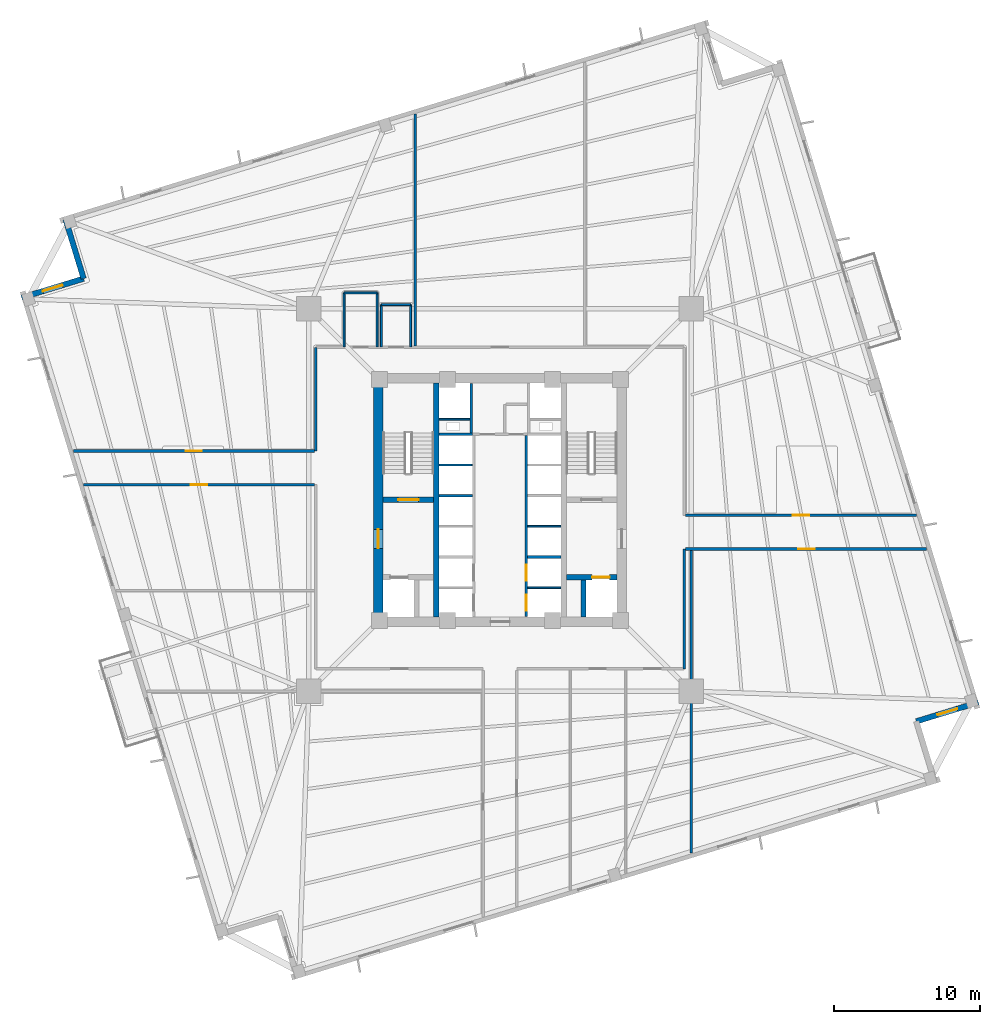
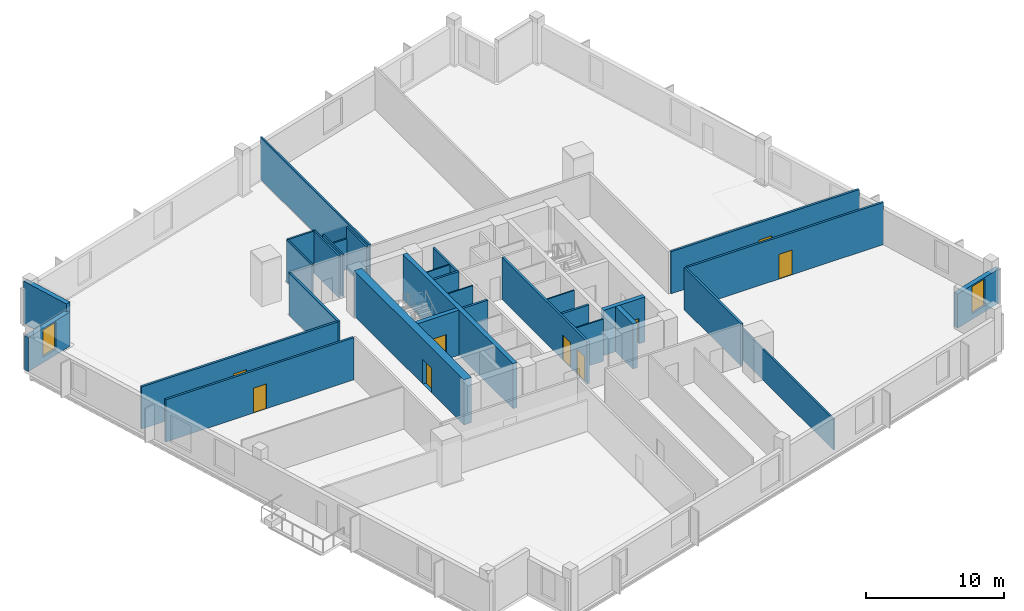
# One storey, part 4 of 9: 31 walls, 9 doors, 2 windows, 11 openings.
"""IFC4 building model written with IfcOpenShell, lengths in metres."""

from ifc_helpers import new_model, si_unit, direction, frame, frame_2d, origin, place, context, subcontext, project, spatial, rectangle, extrude, source, transform, mapped, material, layer, layer_set, type_object, element, fill, save


model = new_model("IFC4")

# Units and contexts
model_context = context("Model", 3, precision=1e-05, world=origin(), true_north=direction((0.0, 1.0)))
body_context = subcontext(model_context, "Body", "Model", "MODEL_VIEW")
ifc_project = project(units=[si_unit("LENGTHUNIT", "METRE"), si_unit("AREAUNIT", "SQUARE_METRE"), si_unit("VOLUMEUNIT", "CUBIC_METRE"), si_unit("PLANEANGLEUNIT", "RADIAN"), si_unit("MASSUNIT", "GRAM", prefix="KILO"), si_unit("THERMODYNAMICTEMPERATUREUNIT", "KELVIN")], contexts=[model_context])

# Site, building, storey
site_placement = place(None, origin())
site = spatial("IfcSite", under=ifc_project, at=site_placement, CompositionType="ELEMENT")
building_placement = place(site_placement, origin())
building = spatial("IfcBuilding", under=site, at=building_placement, Name="Kosmvard Interchange Tower", CompositionType="ELEMENT")
storey_placement = place(building_placement, frame((0.0, 0.0, 107.199951171875)))
storey = spatial("IfcBuildingStorey", under=building, at=storey_placement, Name="L25", CompositionType="ELEMENT", Elevation=107.199951171875)

# Walls
ifc_material_1 = material(Name="Acoustic gypsum partition system")
ifc_layer_1 = layer(ifc_material_1, 0.14990234375, Name="Acoustic gypsum partition system")
ifc_layer_set_1 = layer_set([ifc_layer_1], Name="Acoustic gypsum partition system")
wall_type_1 = type_object("IfcWallType", Name="Acoustic Suite & Meeting Partition 150", PredefinedType="PARTITIONING", material=ifc_layer_set_1)
wall_1_placement = place(storey_placement, frame((-5.800048828125, 10.544921875, 0.0), z_axis=(0.0, 0.0, 1.0), x_axis=(0.0, 1.0, 0.0)))
element("IfcWall", 1, at=wall_1_placement, inside=storey, type_object=wall_type_1, Name="L25 Room Partition 01.1", PredefinedType="PARTITIONING", context=body_context, shape_type="SweptSolid", body=[
    extrude(rectangle(XDim=15.84765625, YDim=0.14990234375, at=frame_2d((7.923828125, 0.0))), origin(), (0.0, 0.0, 1.0), 3.739990234375),
])
wall_2_placement = place(storey_placement, frame((13.0810546875, -24.16650390625, 0.0), z_axis=(0.0, 0.0, 1.0), x_axis=(0.0, 1.0, 0.0)))
element("IfcWall", 2, at=wall_2_placement, inside=storey, type_object=wall_type_1, Name="L25 Room Partition 05.1", PredefinedType="PARTITIONING", context=body_context, shape_type="SweptSolid", body=[
    extrude(rectangle(XDim=20.721435546875, YDim=0.14990234375, at=frame_2d((10.36083984375, 0.0))), origin(), (0.0, 0.0, 1.0), 2.73193359375),
])
ifc_material_2 = material(Name="Fire-rated gypsum partition system")
ifc_layer_2 = layer(ifc_material_2, 0.159912109375, Name="Fire-rated gypsum partition system")
ifc_layer_set_2 = layer_set([ifc_layer_2], Name="Fire-rated gypsum partition system")
wall_type_2 = type_object("IfcWallType", Name="Core Compartment & Shuttle Lobby Partition 160", PredefinedType="PARTITIONING", material=ifc_layer_set_2)
wall_3_placement = place(storey_placement, frame((-1.9599609375, 4.580078125, 0.0), z_axis=(0.0, 0.0, 1.0), x_axis=(0.0, 1.0, 0.0)))
element("IfcWall", 3, at=wall_3_placement, inside=storey, type_object=wall_type_2, Name="L25 North Core West Wall", PredefinedType="PARTITIONING", context=body_context, shape_type="SweptSolid", body=[
    extrude(rectangle(XDim=3.39990234375, YDim=0.159912109375, at=frame_2d((1.699951171875, 0.0))), origin(), (0.0, 0.0, 1.0), 3.739990234375),
])

# Wall, openings, doors
ifc_layer_3 = layer(ifc_material_2, 0.179931640625, Name="Fire-rated gypsum partition system")
ifc_layer_set_3 = layer_set([ifc_layer_3], Name="Fire-rated gypsum partition system")
wall_type_3 = type_object("IfcWallType", Name="Corridor & Hotel Compartment Partition 180", PredefinedType="PARTITIONING", material=ifc_layer_set_3)
wall_4_placement = place(storey_placement, frame((1.7900390625, -7.97998046875, 0.0), z_axis=(0.0, 0.0, 1.0), x_axis=(0.0, 1.0, 0.0)))
wall_4 = element("IfcWall", 4, at=wall_4_placement, inside=storey, type_object=wall_type_3, Name="L25 East Lift Bank Front Wall", PredefinedType="PARTITIONING", context=body_context, shape_type="SweptSolid", body=[
    extrude(rectangle(XDim=12.3798828125, YDim=0.179931640625, at=frame_2d((6.18994140625, 0.0))), origin(), (0.0, 0.0, 1.0), 3.739990234375),
])
opening_1_placement = place(wall_4_placement, frame((0.39990234375, 0.0, 0.0)))
opening_1 = element("IfcOpeningElement", 5, at=opening_1_placement, cuts=wall_4, Name="Opening LD-PL-L3-L25", PredefinedType="OPENING", context=body_context, shape_type="SweptSolid", body=[
    extrude(rectangle(XDim=1.10009765625, YDim=2.199951171875, at=frame_2d((0.550048828125, 1.10009765625))), frame((0.0, 0.10009765625, 0.0), z_axis=(0.0, -1.0, 0.0), x_axis=(1.0, 0.0, 0.0)), (0.0, 0.0, 1.0), 0.199951171875),
])
opening_2_placement = place(wall_4_placement, frame((2.4599609375, 0.0, 0.0)))
opening_2 = element("IfcOpeningElement", 6, at=opening_2_placement, cuts=wall_4, Name="Opening LD-PL-L4-L25", PredefinedType="OPENING", context=body_context, shape_type="SweptSolid", body=[
    extrude(rectangle(XDim=1.10009765625, YDim=2.199951171875, at=frame_2d((0.550048828125, 1.10009765625))), frame((0.0, 0.10009765625, 0.0), z_axis=(0.0, -1.0, 0.0), x_axis=(1.0, 0.0, 0.0)), (0.0, 0.0, 1.0), 0.199951171875),
])
ifc_material_3 = material(Name="Brushed stainless steel sliding leaf", Category="steel")
door_type_1 = type_object("IfcDoorType", Name="Passenger Lift Sliding Landing Door 1100x2200 EI60", OperationType="DOUBLE_DOOR_SLIDING", PredefinedType="DOOR", material=ifc_material_3)
shared_shape_1 = source(origin(), body_context, "Body", "SweptSolid", [
    extrude(rectangle(XDim=1.10009765625, YDim=2.199951171875, at=frame_2d((0.550048828125, 1.10009765625))), frame((0.0, 0.02490234375, 0.0), z_axis=(0.0, -1.0, 0.0), x_axis=(1.0, 0.0, 0.0)), (0.0, 0.0, 1.0), 0.050048828125),
])
door_1_placement = place(opening_1_placement, origin())
door_1 = element("IfcDoor", 7, at=door_1_placement, inside=storey, type_object=door_type_1, Name="Lift PL-L3 Landing Door L25", OperationType="DOUBLE_DOOR_SLIDING", OverallHeight=2.199951171875, OverallWidth=1.10009765625, PredefinedType="DOOR", context=body_context, shape_type="MappedRepresentation", body=[
    mapped(shared_shape_1, transform((0.0, 0.0, 0.0), scale=1.0)),
])
fill(opening_1, door_1)
door_2_placement = place(opening_2_placement, origin())
door_2 = element("IfcDoor", 8, at=door_2_placement, inside=storey, type_object=door_type_1, Name="Lift PL-L4 Landing Door L25", OperationType="DOUBLE_DOOR_SLIDING", OverallHeight=2.199951171875, OverallWidth=1.10009765625, PredefinedType="DOOR", context=body_context, shape_type="MappedRepresentation", body=[
    mapped(shared_shape_1, transform((0.0, 0.0, 0.0), scale=1.0)),
])
fill(opening_2, door_2)

# Walls
wall_5_placement = place(storey_placement, frame((-12.60009765625, 3.35009765625, 0.0), z_axis=(0.0, 0.0, 1.0), x_axis=(0.0, 1.0, 0.0)))
element("IfcWall", 9, at=wall_5_placement, inside=storey, type_object=wall_type_3, Name="L25 Corridor Wall CWN", PredefinedType="PARTITIONING", context=body_context, shape_type="SweptSolid", body=[
    extrude(rectangle(XDim=7.099853515625, YDim=0.179931640625, at=frame_2d((3.5498046875, 0.0))), origin(), (0.0, 0.0, 1.0), 3.739990234375),
])
wall_6_placement = place(storey_placement, frame((12.60009765625, -11.550048828125, 0.0), z_axis=(0.0, 0.0, 1.0), x_axis=(0.0, 1.0, 0.0)))
element("IfcWall", 10, at=wall_6_placement, inside=storey, type_object=wall_type_3, Name="L25 Corridor Wall CES", PredefinedType="PARTITIONING", context=body_context, shape_type="SweptSolid", body=[
    extrude(rectangle(XDim=8.199951171875, YDim=0.179931640625, at=frame_2d((4.10009765625, 0.0))), origin(), (0.0, 0.0, 1.0), 3.739990234375),
])

# Wall, opening, door
wall_7_placement = place(storey_placement, frame((-28.48681640625, 1.050048828125, 0.0), z_axis=(0.0, 0.0, 1.0), x_axis=(1.0, 0.0, 0.0)))
wall_7 = element("IfcWall", 11, at=wall_7_placement, inside=storey, type_object=wall_type_3, Name="L25 Corridor Wall SWS", PredefinedType="PARTITIONING", context=body_context, shape_type="SweptSolid", body=[
    extrude(rectangle(XDim=15.786865234375, YDim=0.179931640625, at=frame_2d((7.8935546875, 0.0))), origin(), (0.0, 0.0, 1.0), 3.739990234375),
])
opening_3_placement = place(wall_7_placement, frame((7.34326171875, 0.0, 0.0)))
opening_3 = element("IfcOpeningElement", 12, at=opening_3_placement, cuts=wall_7, Name="Opening L25-D10", PredefinedType="OPENING", context=body_context, shape_type="SweptSolid", body=[
    extrude(rectangle(XDim=1.10009765625, YDim=2.199951171875, at=frame_2d((0.550048828125, 1.10009765625))), frame((0.0, 0.10009765625, 0.0), z_axis=(0.0, -1.0, 0.0), x_axis=(1.0, 0.0, 0.0)), (0.0, 0.0, 1.0), 0.199951171875),
])
ifc_material_4 = material(Name="Engineered oak fire-rated timber", Category="wood")
door_type_2 = type_object("IfcDoorType", Name="Office Suite Entrance Door 1100x2200 FD30S", OperationType="NOTDEFINED", PredefinedType="DOOR", material=ifc_material_4)
door_3_placement = place(opening_3_placement, frame((1.10009765625, 0.0, 0.0), z_axis=(0.0, 0.0, 1.0), x_axis=(-1.0, 0.0, 0.0)))
door_3 = element("IfcDoor", 13, at=door_3_placement, inside=storey, type_object=door_type_2, Name="L25 Coffee Bar Pantry Door", OperationType="SINGLE_SWING_RIGHT", OverallHeight=2.199951171875, OverallWidth=1.10009765625, PredefinedType="DOOR", context=body_context, shape_type="MappedRepresentation", body=[
    mapped(shared_shape_1, transform((0.0, 0.0, 0.0), scale=1.0)),
])
fill(opening_3, door_3)

wall_8_placement = place(storey_placement, frame((-29.18994140625, 3.35009765625, 0.0), z_axis=(0.0, 0.0, 1.0), x_axis=(1.0, 0.0, 0.0)))
wall_8 = element("IfcWall", 14, at=wall_8_placement, inside=storey, type_object=wall_type_3, Name="L25 Corridor Wall SWN", PredefinedType="PARTITIONING", context=body_context, shape_type="SweptSolid", body=[
    extrude(rectangle(XDim=16.489990234375, YDim=0.179931640625, at=frame_2d((8.2451171875, 0.0))), origin(), (0.0, 0.0, 1.0), 3.739990234375),
])
opening_4_placement = place(wall_8_placement, frame((7.695068359375, 0.0, 0.0)))
opening_4 = element("IfcOpeningElement", 15, at=opening_4_placement, cuts=wall_8, Name="Opening L25-D03", PredefinedType="OPENING", context=body_context, shape_type="SweptSolid", body=[
    extrude(rectangle(XDim=1.10009765625, YDim=2.199951171875, at=frame_2d((0.550048828125, 1.10009765625))), frame((0.0, 0.10009765625, 0.0), z_axis=(0.0, -1.0, 0.0), x_axis=(1.0, 0.0, 0.0)), (0.0, 0.0, 1.0), 0.199951171875),
])
door_4_placement = place(opening_4_placement, origin())
door_4 = element("IfcDoor", 16, at=door_4_placement, inside=storey, type_object=door_type_2, Name="L25 North-West Executive Lounge Door", OperationType="SINGLE_SWING_LEFT", OverallHeight=2.199951171875, OverallWidth=1.10009765625, PredefinedType="DOOR", context=body_context, shape_type="MappedRepresentation", body=[
    mapped(shared_shape_1, transform((0.0, 0.0, 0.0), scale=1.0)),
])
fill(opening_4, door_4)

wall_9_placement = place(storey_placement, frame((12.699951171875, -3.35009765625, 0.0), z_axis=(0.0, 0.0, 1.0), x_axis=(1.0, 0.0, 0.0)))
wall_9 = element("IfcWall", 17, at=wall_9_placement, inside=storey, type_object=wall_type_3, Name="L25 Corridor Wall SES", PredefinedType="PARTITIONING", context=body_context, shape_type="SweptSolid", body=[
    extrude(rectangle(XDim=16.489990234375, YDim=0.179931640625, at=frame_2d((8.2451171875, 0.0))), origin(), (0.0, 0.0, 1.0), 3.739990234375),
])
opening_5_placement = place(wall_9_placement, frame((7.720947265625, 0.0, 0.0)))
opening_5 = element("IfcOpeningElement", 18, at=opening_5_placement, cuts=wall_9, Name="Opening L25-D09", PredefinedType="OPENING", context=body_context, shape_type="SweptSolid", body=[
    extrude(rectangle(XDim=1.10009765625, YDim=2.199951171875, at=frame_2d((0.550048828125, 1.10009765625))), frame((0.0, 0.10009765625, 0.0), z_axis=(0.0, -1.0, 0.0), x_axis=(1.0, 0.0, 0.0)), (0.0, 0.0, 1.0), 0.199951171875),
])
door_5_placement = place(opening_5_placement, frame((1.10009765625, 0.0, 0.0), z_axis=(0.0, 0.0, 1.0), x_axis=(-1.0, 0.0, 0.0)))
door_5 = element("IfcDoor", 19, at=door_5_placement, inside=storey, type_object=door_type_2, Name="L25 East Quiet Study Door", OperationType="SINGLE_SWING_LEFT", OverallHeight=2.199951171875, OverallWidth=1.10009765625, PredefinedType="DOOR", context=body_context, shape_type="MappedRepresentation", body=[
    mapped(shared_shape_1, transform((0.0, 0.0, 0.0), scale=1.0)),
])
fill(opening_5, door_5)

wall_10_placement = place(storey_placement, frame((12.699951171875, -1.050048828125, 0.0), z_axis=(0.0, 0.0, 1.0), x_axis=(1.0, 0.0, 0.0)))
wall_10 = element("IfcWall", 20, at=wall_10_placement, inside=storey, type_object=wall_type_3, Name="L25 Corridor Wall SEN", PredefinedType="PARTITIONING", context=body_context, shape_type="SweptSolid", body=[
    extrude(rectangle(XDim=15.786865234375, YDim=0.179931640625, at=frame_2d((7.8935546875, 0.0))), origin(), (0.0, 0.0, 1.0), 3.739990234375),
])
opening_6_placement = place(wall_10_placement, frame((7.34326171875, 0.0, 0.0)))
opening_6 = element("IfcOpeningElement", 21, at=opening_6_placement, cuts=wall_10, Name="Opening L25-D05", PredefinedType="OPENING", context=body_context, shape_type="SweptSolid", body=[
    extrude(rectangle(XDim=1.10009765625, YDim=2.199951171875, at=frame_2d((0.550048828125, 1.10009765625))), frame((0.0, 0.10009765625, 0.0), z_axis=(0.0, -1.0, 0.0), x_axis=(1.0, 0.0, 0.0)), (0.0, 0.0, 1.0), 0.199951171875),
])
door_6_placement = place(opening_6_placement, origin())
door_6 = element("IfcDoor", 22, at=door_6_placement, inside=storey, type_object=door_type_2, Name="L25 North-East Reading Study Door", OperationType="SINGLE_SWING_LEFT", OverallHeight=2.199951171875, OverallWidth=1.10009765625, PredefinedType="DOOR", context=body_context, shape_type="MappedRepresentation", body=[
    mapped(shared_shape_1, transform((0.0, 0.0, 0.0), scale=1.0)),
])
fill(opening_6, door_6)

# Wall, opening, window
ifc_material_5 = material(Name="Precast concrete C45/55", Category="concrete")
ifc_layer_4 = layer(ifc_material_5, 0.3798828125, Name="Precast concrete C45/55")
ifc_layer_set_4 = layer_set([ifc_layer_4], Name="Precast concrete C45/55")
wall_type_4 = type_object("IfcWallType", Name="Lower Tower Precast Pier Wall 380 C45/55", PredefinedType="STANDARD", material=ifc_layer_set_4)
wall_11_placement = place(storey_placement, frame((28.482421875, -15.144287109375, 0.0), z_axis=(0.0, 0.0, 1.0), x_axis=(0.956304176051, 0.292373601522, 0.0)))
wall_11 = element("IfcWall", 23, at=wall_11_placement, inside=storey, type_object=wall_type_4, Name="L25 Precast Facade Wall N-SE2", PredefinedType="STANDARD", context=body_context, shape_type="SweptSolid", body=[
    extrude(rectangle(XDim=4.43994140625, YDim=0.3798828125, at=frame_2d((2.219970703125, 0.0))), origin(), (0.0, 0.0, 1.0), 3.0400390625),
])
opening_7_placement = place(wall_11_placement, frame((1.52001953125, 0.0, 0.510009765625)))
opening_7 = element("IfcOpeningElement", 24, at=opening_7_placement, cuts=wall_11, Name="Opening L25-W20", PredefinedType="OPENING", context=body_context, shape_type="SweptSolid", body=[
    extrude(rectangle(XDim=1.39990234375, YDim=2.39990234375, at=frame_2d((0.699951171875, 1.199951171875))), frame((0.0, 0.199951171875, 0.0), z_axis=(0.0, -1.0, 0.0), x_axis=(1.0, 0.0, 0.0)), (0.0, 0.0, 1.0), 0.39990234375),
])
ifc_material_6 = material(Name="Low-E solar-control double glazing", Category="glass")
window_type = type_object("IfcWindowType", Name="Notched Corner Feature Window 1400x2400", PartitioningType="SINGLE_PANEL", PredefinedType="WINDOW", material=ifc_material_6)
shared_shape_2 = source(origin(), body_context, "Body", "SweptSolid", [
    extrude(rectangle(XDim=1.39990234375, YDim=2.39990234375, at=frame_2d((0.699951171875, 1.199951171875))), frame((0.0, 0.030029296875, 0.0), z_axis=(0.0, -1.0, 0.0), x_axis=(1.0, 0.0, 0.0)), (0.0, 0.0, 1.0), 0.06005859375),
])
window_1_placement = place(opening_7_placement, origin())
window_1 = element("IfcWindow", 25, at=window_1_placement, inside=storey, type_object=window_type, Name="L25 Corner Notch Window 20", OverallHeight=2.39990234375, OverallWidth=1.39990234375, PartitioningType="SINGLE_PANEL", PredefinedType="WINDOW", context=body_context, shape_type="MappedRepresentation", body=[
    mapped(shared_shape_2, transform((0.0, 0.0, 0.0), scale=1.0)),
])
fill(opening_7, window_1)

# Wall
wall_12_placement = place(storey_placement, frame((-29.724853515625, 19.20849609375, 0.0), z_axis=(0.0, 0.0, 1.0), x_axis=(0.292345507338, -0.956312764915, 0.0)))
element("IfcWall", 26, at=wall_12_placement, inside=storey, type_object=wall_type_4, Name="L25 Precast Facade Wall N-NW1", PredefinedType="STANDARD", context=body_context, shape_type="SweptSolid", body=[
    extrude(rectangle(XDim=4.249755859375, YDim=0.3798828125, at=frame_2d((2.125, 0.0))), origin(), (0.0, 0.0, 1.0), 3.739990234375),
])

# Wall, opening, window
wall_13_placement = place(storey_placement, frame((-28.482421875, 15.144287109375, 0.0), z_axis=(0.0, 0.0, 1.0), x_axis=(-0.956304176051, -0.292373601522, 0.0)))
wall_13 = element("IfcWall", 27, at=wall_13_placement, inside=storey, type_object=wall_type_4, Name="L25 Precast Facade Wall N-NW2", PredefinedType="STANDARD", context=body_context, shape_type="SweptSolid", body=[
    extrude(rectangle(XDim=4.43994140625, YDim=0.3798828125, at=frame_2d((2.219970703125, 0.0))), origin(), (0.0, 0.0, 1.0), 3.0400390625),
])
opening_8_placement = place(wall_13_placement, frame((1.52001953125, 0.0, 0.510009765625)))
opening_8 = element("IfcOpeningElement", 28, at=opening_8_placement, cuts=wall_13, Name="Opening L25-W22", PredefinedType="OPENING", context=body_context, shape_type="SweptSolid", body=[
    extrude(rectangle(XDim=1.39990234375, YDim=2.39990234375, at=frame_2d((0.699951171875, 1.199951171875))), frame((0.0, 0.199951171875, 0.0), z_axis=(0.0, -1.0, 0.0), x_axis=(1.0, 0.0, 0.0)), (0.0, 0.0, 1.0), 0.39990234375),
])
window_2_placement = place(opening_8_placement, origin())
window_2 = element("IfcWindow", 29, at=window_2_placement, inside=storey, type_object=window_type, Name="L25 Corner Notch Window 22", OverallHeight=2.39990234375, OverallWidth=1.39990234375, PartitioningType="SINGLE_PANEL", PredefinedType="WINDOW", context=body_context, shape_type="MappedRepresentation", body=[
    mapped(shared_shape_2, transform((0.0, 0.0, 0.0), scale=1.0)),
])
fill(opening_8, window_2)

# Wall, opening, door
ifc_material_7 = material(Name="Concrete C70/85", Category="concrete")
ifc_layer_5 = layer(ifc_material_7, 0.64990234375, Name="Concrete C70/85")
ifc_layer_set_5 = layer_set([ifc_layer_5], Name="Concrete C70/85")
wall_type_5 = type_object("IfcWallType", Name="Mid Core Shear Wall 650 C70/85", PredefinedType="SHEAR", material=ifc_layer_set_5)
wall_14_placement = place(storey_placement, frame((-8.324951171875, -8.0, 0.0), z_axis=(0.0, 0.0, 1.0), x_axis=(0.0, 1.0, 0.0)))
wall_14 = element("IfcWall", 30, at=wall_14_placement, inside=storey, type_object=wall_type_5, Name="L25 Core Shear Wall CW-W", PredefinedType="SHEAR", context=body_context, shape_type="SweptSolid", body=[
    extrude(rectangle(XDim=16.0, YDim=0.64990234375, at=frame_2d((8.0, 0.0))), origin(), (0.0, 0.0, 1.0), 4.0),
])
opening_9_placement = place(wall_14_placement, frame((4.68994140625, 0.0, 0.0)))
opening_9 = element("IfcOpeningElement", 31, at=opening_9_placement, cuts=wall_14, Name="Opening L25-FD1", PredefinedType="OPENING", context=body_context, shape_type="SweptSolid", body=[
    extrude(rectangle(XDim=1.300048828125, YDim=2.199951171875, at=frame_2d((0.64990234375, 1.10009765625))), frame((0.0, 0.3349609375, 0.0), z_axis=(0.0, -1.0, 0.0), x_axis=(1.0, 0.0, 0.0)), (0.0, 0.0, 1.0), 0.669921875),
])
ifc_material_8 = material(Name="Painted fire-rated steel leaf", Category="steel")
door_type_3 = type_object("IfcDoorType", Name="Firefighting Lobby Door 1300x2200 EI60", OperationType="NOTDEFINED", PredefinedType="DOOR", material=ifc_material_8)
shared_shape_3 = source(origin(), body_context, "Body", "SweptSolid", [
    extrude(rectangle(XDim=1.300048828125, YDim=2.199951171875, at=frame_2d((0.64990234375, 1.10009765625))), frame((0.0, 0.02490234375, 0.0), z_axis=(0.0, -1.0, 0.0), x_axis=(1.0, 0.0, 0.0)), (0.0, 0.0, 1.0), 0.050048828125),
])
door_7_placement = place(opening_9_placement, frame((1.300048828125, 0.0, 0.0), z_axis=(0.0, 0.0, 1.0), x_axis=(-1.0, 0.0, 0.0)))
door_7 = element("IfcDoor", 32, at=door_7_placement, inside=storey, type_object=door_type_3, Name="L25 Firefighting Lobby West Door", OperationType="SINGLE_SWING_LEFT", OverallHeight=2.199951171875, OverallWidth=1.300048828125, PredefinedType="DOOR", context=body_context, shape_type="MappedRepresentation", body=[
    mapped(shared_shape_3, transform((0.0, 0.0, 0.0), scale=1.0)),
])
fill(opening_9, door_7)

# Walls
ifc_material_9 = material(Name="Concrete blockwork masonry", Category="masonry")
ifc_layer_6 = layer(ifc_material_9, 0.179931640625, Name="Concrete blockwork masonry")
ifc_layer_set_6 = layer_set([ifc_layer_6], Name="Concrete blockwork masonry")
wall_type_6 = type_object("IfcWallType", Name="Riser & Lift Bank Divider Wall 180", PredefinedType="PARTITIONING", material=ifc_layer_set_6)
for number, where, z_axis, x_axis, name in (
    (33, (1.889892578125, -3.89990234375, 0.0), (0.0, 0.0, 1.0), (1.0, 0.0, 0.0), "L25 East Bank Divider BD1"),
    (34, (-4.169921875, 0.300048828125, 0.0), (0.0, 0.0, 1.0), (1.0, 0.0, 0.0), "L25 West Bank Divider BD2"),
    (35, (-4.169921875, 4.489990234375, 0.0), (0.0, 0.0, 1.0), (1.0, 0.0, 0.0), "L25 West Bank Divider BD3"),
):
    element("IfcWall", number, at=place(storey_placement, frame(where, z_axis=z_axis, x_axis=x_axis)), inside=storey, type_object=wall_type_6, Name=name, PredefinedType="PARTITIONING", context=body_context, shape_type="SweptSolid", body=[
        extrude(rectangle(XDim=2.280029296875, YDim=0.179931640625, at=frame_2d((1.14013671875, 0.0))), origin(), (0.0, 0.0, 1.0), 3.739990234375),
    ])
ifc_material_10 = material(Name="Fire-rated gypsum shaftwall system")
ifc_layer_7 = layer(ifc_material_10, 0.1201171875, Name="Fire-rated gypsum shaftwall system")
ifc_layer_set_7 = layer_set([ifc_layer_7], Name="Fire-rated gypsum shaftwall system")
wall_type_7 = type_object("IfcWallType", Name="Shaft & Riser Fire Partition 120 EI60", PredefinedType="PARTITIONING", material=ifc_layer_set_7)
for number, where, z_axis, x_axis, name in (
    (36, (1.89990234375, -6.0, 0.0), (0.0, 0.0, 1.0), (1.0, 0.0, 0.0), "L25 Shaft Divider PL-L3"),
    (37, (1.89990234375, -1.800048828125, 0.0), (0.0, 0.0, 1.0), (1.0, 0.0, 0.0), "L25 Shaft Divider PL-M3"),
    (38, (-4.159912109375, 2.39990234375, 0.0), (0.0, 0.0, 1.0), (1.0, 0.0, 0.0), "L25 Shaft Divider PL-H1"),
):
    element("IfcWall", number, at=place(storey_placement, frame(where, z_axis=z_axis, x_axis=x_axis)), inside=storey, type_object=wall_type_7, Name=name, PredefinedType="PARTITIONING", context=body_context, shape_type="SweptSolid", body=[
        extrude(rectangle(XDim=2.260009765625, YDim=0.1201171875, at=frame_2d((1.1298828125, 0.0))), origin(), (0.0, 0.0, 1.0), 3.739990234375),
    ])
wall_15_placement = place(storey_placement, frame((-4.159912109375, 5.52001953125, 0.0), z_axis=(0.0, 0.0, 1.0), x_axis=(1.0, 0.0, 0.0)))
element("IfcWall", 39, at=wall_15_placement, inside=storey, type_object=wall_type_7, Name="L25 Riser Shaft Divider W", PredefinedType="PARTITIONING", context=body_context, shape_type="SweptSolid", body=[
    extrude(rectangle(XDim=2.099853515625, YDim=0.1201171875, at=frame_2d((1.0498046875, 0.0))), origin(), (0.0, 0.0, 1.0), 3.739990234375),
])
ifc_material_11 = material(Name="Concrete C60/75", Category="concrete")
ifc_layer_8 = layer(ifc_material_11, 0.360107421875, Name="Concrete C60/75")
ifc_layer_set_8 = layer_set([ifc_layer_8], Name="Concrete C60/75")
wall_type_8 = type_object("IfcWallType", Name="Stair & Lift Shaft Shear Wall 360 C60/75", PredefinedType="SHEAR", material=ifc_layer_set_8)
wall_16_placement = place(storey_placement, frame((-4.360107421875, -8.0, 0.0), z_axis=(0.0, 0.0, 1.0), x_axis=(0.0, 1.0, 0.0)))
element("IfcWall", 40, at=wall_16_placement, inside=storey, type_object=wall_type_8, Name="L25 Shaft Shear Wall SW-W", PredefinedType="SHEAR", context=body_context, shape_type="SweptSolid", body=[
    extrude(rectangle(XDim=16.0, YDim=0.360107421875, at=frame_2d((8.0, 0.0))), origin(), (0.0, 0.0, 1.0), 4.0),
])

# Wall, opening, door
wall_17_placement = place(storey_placement, frame((-8.0, 0.02001953125, 0.0), z_axis=(0.0, 0.0, 1.0), x_axis=(1.0, 0.0, 0.0)))
wall_17 = element("IfcWall", 41, at=wall_17_placement, inside=storey, type_object=wall_type_8, Name="L25 Shaft Shear Wall SW-ST1", PredefinedType="SHEAR", context=body_context, shape_type="SweptSolid", body=[
    extrude(rectangle(XDim=3.4599609375, YDim=0.360107421875, at=frame_2d((1.72998046875, 0.0))), origin(), (0.0, 0.0, 1.0), 4.0),
])
opening_10_placement = place(wall_17_placement, frame((1.030029296875, 0.0, 0.0)))
opening_10 = element("IfcOpeningElement", 42, at=opening_10_placement, cuts=wall_17, Name="Opening L25-SD1", PredefinedType="OPENING", context=body_context, shape_type="SweptSolid", body=[
    extrude(rectangle(XDim=1.39990234375, YDim=2.199951171875, at=frame_2d((0.699951171875, 1.10009765625))), frame((0.0, 0.18994140625, 0.0), z_axis=(0.0, -1.0, 0.0), x_axis=(1.0, 0.0, 0.0)), (0.0, 0.0, 1.0), 0.380126953125),
])
door_type_4 = type_object("IfcDoorType", Name="Protected Stair Door 1400x2200 FD60S", OperationType="NOTDEFINED", PredefinedType="DOOR", material=ifc_material_8)
shared_shape_4 = source(origin(), body_context, "Body", "SweptSolid", [
    extrude(rectangle(XDim=1.39990234375, YDim=2.199951171875, at=frame_2d((0.699951171875, 1.10009765625))), frame((0.0, 0.02490234375, 0.0), z_axis=(0.0, -1.0, 0.0), x_axis=(1.0, 0.0, 0.0)), (0.0, 0.0, 1.0), 0.050048828125),
])
door_8_placement = place(opening_10_placement, origin())
door_8 = element("IfcDoor", 43, at=door_8_placement, inside=storey, type_object=door_type_4, Name="L25 Stair ST-1 Enclosure Door", OperationType="SINGLE_SWING_LEFT", OverallHeight=2.199951171875, OverallWidth=1.39990234375, PredefinedType="DOOR", context=body_context, shape_type="MappedRepresentation", body=[
    mapped(shared_shape_4, transform((0.0, 0.0, 0.0), scale=1.0)),
])
fill(opening_10, door_8)

wall_18_placement = place(storey_placement, frame((4.5400390625, -5.280029296875, 0.0), z_axis=(0.0, 0.0, 1.0), x_axis=(1.0, 0.0, 0.0)))
wall_18 = element("IfcWall", 44, at=wall_18_placement, inside=storey, type_object=wall_type_8, Name="L25 Shaft Shear Wall SW-FF2", PredefinedType="SHEAR", context=body_context, shape_type="SweptSolid", body=[
    extrude(rectangle(XDim=3.4599609375, YDim=0.360107421875, at=frame_2d((1.72998046875, 0.0))), origin(), (0.0, 0.0, 1.0), 4.0),
])
opening_11_placement = place(wall_18_placement, frame((1.760009765625, 0.0, 0.0)))
opening_11 = element("IfcOpeningElement", 45, at=opening_11_placement, cuts=wall_18, Name="Opening LD-FF-2-L25", PredefinedType="OPENING", context=body_context, shape_type="SweptSolid", body=[
    extrude(rectangle(XDim=1.199951171875, YDim=2.25, at=frame_2d((0.60009765625, 1.125))), frame((0.0, 0.18994140625, 0.0), z_axis=(0.0, -1.0, 0.0), x_axis=(1.0, 0.0, 0.0)), (0.0, 0.0, 1.0), 0.380126953125),
])
door_type_5 = type_object("IfcDoorType", Name="Firefighting Lift Sliding Landing Door 1200x2250 EI120", OperationType="DOUBLE_DOOR_SLIDING", PredefinedType="DOOR", material=ifc_material_3)
shared_shape_5 = source(origin(), body_context, "Body", "SweptSolid", [
    extrude(rectangle(XDim=1.199951171875, YDim=2.25, at=frame_2d((0.60009765625, 1.125))), frame((0.0, 0.02490234375, 0.0), z_axis=(0.0, -1.0, 0.0), x_axis=(1.0, 0.0, 0.0)), (0.0, 0.0, 1.0), 0.050048828125),
])
door_9_placement = place(opening_11_placement, origin())
door_9 = element("IfcDoor", 46, at=door_9_placement, inside=storey, type_object=door_type_5, Name="Lift FF-2 Landing Door L25", OperationType="DOUBLE_DOOR_SLIDING", OverallHeight=2.25, OverallWidth=1.199951171875, PredefinedType="DOOR", context=body_context, shape_type="MappedRepresentation", body=[
    mapped(shared_shape_5, transform((0.0, 0.0, 0.0), scale=1.0)),
])
fill(opening_11, door_9)

# Walls
wall_19_placement = place(storey_placement, frame((5.7099609375, -8.0, 0.0), z_axis=(0.0, 0.0, 1.0), x_axis=(0.0, 1.0, 0.0)))
element("IfcWall", 47, at=wall_19_placement, inside=storey, type_object=wall_type_8, Name="L25 Shaft Shear Wall SW-SM2", PredefinedType="SHEAR", context=body_context, shape_type="SweptSolid", body=[
    extrude(rectangle(XDim=2.5400390625, YDim=0.360107421875, at=frame_2d((1.27001953125, 0.0))), origin(), (0.0, 0.0, 1.0), 4.0),
])
ifc_material_12 = material(Name="Moisture-resistant gypsum partition")
ifc_layer_9 = layer(ifc_material_12, 0.135009765625, Name="Moisture-resistant gypsum partition")
ifc_layer_set_9 = layer_set([ifc_layer_9], Name="Moisture-resistant gypsum partition")
wall_type_9 = type_object("IfcWallType", Name="Wet Room Moisture-Resistant Partition 135", PredefinedType="PARTITIONING", material=ifc_layer_set_9)
wall_20_placement = place(storey_placement, frame((-6.111083984375, 10.469970703125, 0.0), z_axis=(0.0, 0.0, 1.0), x_axis=(0.0, 1.0, 0.0)))
element("IfcWall", 48, at=wall_20_placement, inside=storey, type_object=wall_type_9, Name="L25 Washroom Partition AWC1-E", PredefinedType="PARTITIONING", context=body_context, shape_type="SweptSolid", body=[
    extrude(rectangle(XDim=2.900146484375, YDim=0.135009765625, at=frame_2d((1.4501953125, 0.0))), origin(), (0.0, 0.0, 1.0), 3.739990234375),
])
wall_21_placement = place(storey_placement, frame((-8.111083984375, 13.3701171875, 0.0), z_axis=(0.0, 0.0, 1.0), x_axis=(1.0, 0.0, 0.0)))
element("IfcWall", 49, at=wall_21_placement, inside=storey, type_object=wall_type_9, Name="L25 Washroom Partition AWC1-N", PredefinedType="PARTITIONING", context=body_context, shape_type="SweptSolid", body=[
    extrude(rectangle(XDim=2.0, YDim=0.135009765625, at=frame_2d((1.0, 0.0))), origin(), (0.0, 0.0, 1.0), 2.73193359375),
])
wall_22_placement = place(storey_placement, frame((-8.111083984375, 10.469970703125, 0.0), z_axis=(0.0, 0.0, 1.0), x_axis=(0.0, 1.0, 0.0)))
element("IfcWall", 50, at=wall_22_placement, inside=storey, type_object=wall_type_9, Name="L25 Washroom Partition AWC1-W", PredefinedType="PARTITIONING", context=body_context, shape_type="SweptSolid", body=[
    extrude(rectangle(XDim=2.900146484375, YDim=0.135009765625, at=frame_2d((1.4501953125, 0.0))), origin(), (0.0, 0.0, 1.0), 3.739990234375),
])
wall_23_placement = place(storey_placement, frame((-8.41015625, 10.469970703125, 0.0), z_axis=(0.0, 0.0, 1.0), x_axis=(0.0, 1.0, 0.0)))
element("IfcWall", 51, at=wall_23_placement, inside=storey, type_object=wall_type_9, Name="L25 Washroom Partition WC1-E", PredefinedType="PARTITIONING", context=body_context, shape_type="SweptSolid", body=[
    extrude(rectangle(XDim=3.699951171875, YDim=0.135009765625, at=frame_2d((1.85009765625, 0.0))), origin(), (0.0, 0.0, 1.0), 3.739990234375),
])
wall_24_placement = place(storey_placement, frame((-10.66015625, 14.169921875, 0.0), z_axis=(0.0, 0.0, 1.0), x_axis=(1.0, 0.0, 0.0)))
element("IfcWall", 52, at=wall_24_placement, inside=storey, type_object=wall_type_9, Name="L25 Washroom Partition WC1-N", PredefinedType="PARTITIONING", context=body_context, shape_type="SweptSolid", body=[
    extrude(rectangle(XDim=2.25, YDim=0.135009765625, at=frame_2d((1.125, 0.0))), origin(), (0.0, 0.0, 1.0), 3.739990234375),
])
wall_25_placement = place(storey_placement, frame((-10.66015625, 10.469970703125, 0.0), z_axis=(0.0, 0.0, 1.0), x_axis=(0.0, 1.0, 0.0)))
element("IfcWall", 53, at=wall_25_placement, inside=storey, type_object=wall_type_9, Name="L25 Washroom Partition WC1-W", PredefinedType="PARTITIONING", context=body_context, shape_type="SweptSolid", body=[
    extrude(rectangle(XDim=3.699951171875, YDim=0.135009765625, at=frame_2d((1.85009765625, 0.0))), origin(), (0.0, 0.0, 1.0), 3.739990234375),
])

save(model, "model.ifc")
